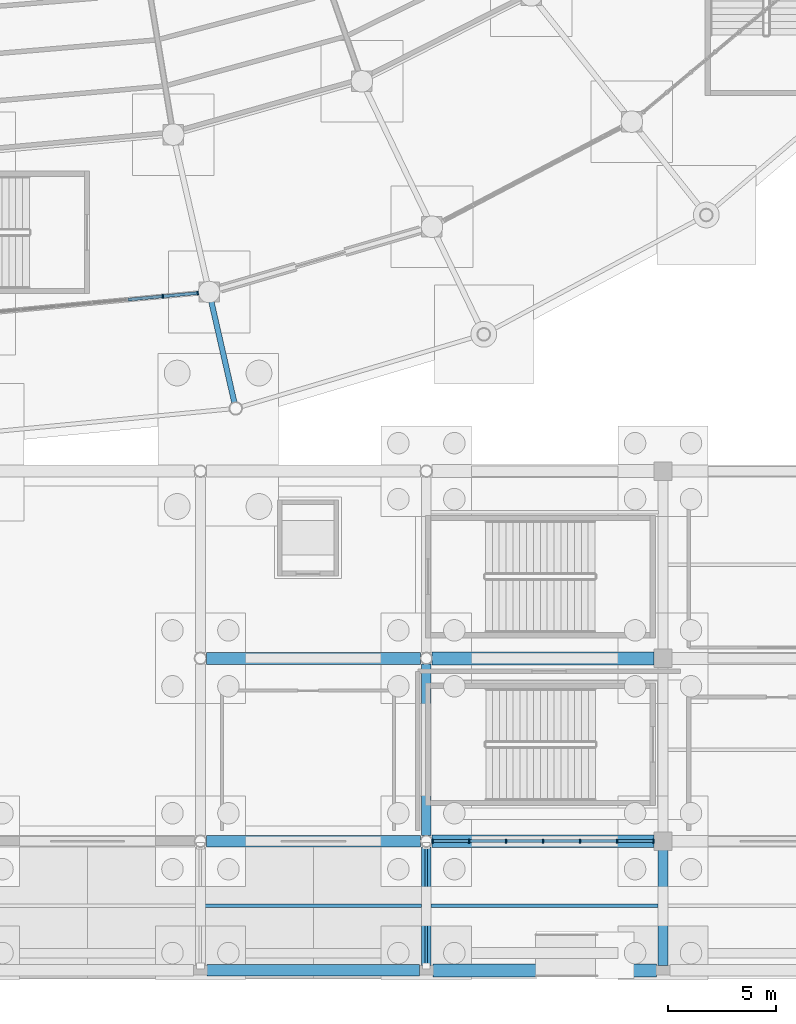
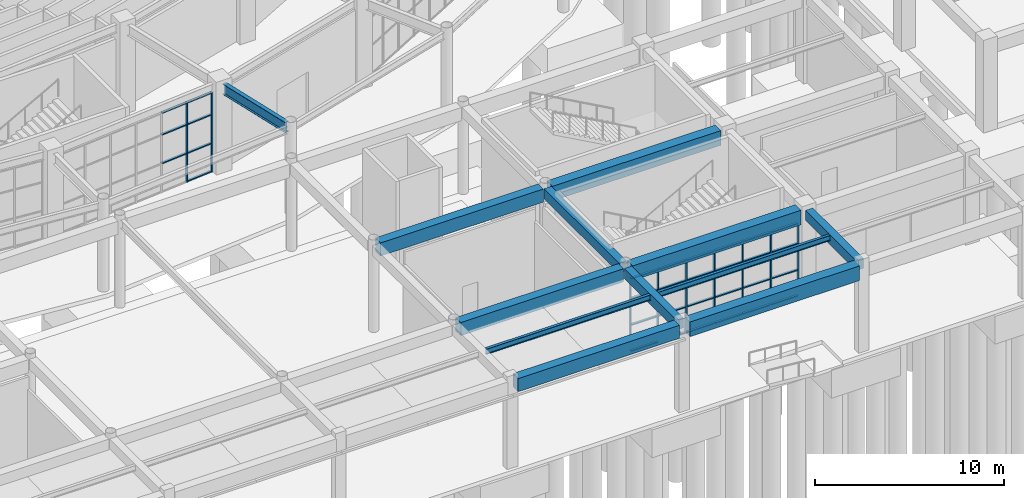
# One storey, part 33 of 121: 41 members, 12 beams, 2 elements without a shape of their own.
"""IFC4 building model written with IfcOpenShell, lengths in metres."""

from ifc_helpers import new_model, si_unit, direction, frame, origin, origin_2d, place, context, subcontext, project, spatial, rectangle, hollow_rectangle, i_section, extrude, material, material_profile, profile_set, type_object, element, aggregate, save


model = new_model("IFC4")

# Units and contexts
model_context = context("Model", 3, precision=1e-05, world=origin(), true_north=direction((0.0, 1.0)))
body_context = subcontext(model_context, "Body", "Model", "MODEL_VIEW")
ifc_project = project(units=[si_unit("LENGTHUNIT", "METRE"), si_unit("AREAUNIT", "SQUARE_METRE"), si_unit("VOLUMEUNIT", "CUBIC_METRE"), si_unit("PLANEANGLEUNIT", "RADIAN"), si_unit("MASSUNIT", "GRAM", prefix="KILO")], contexts=[model_context])

# Site, building, storey
site_placement = place(None, origin())
site = spatial("IfcSite", under=ifc_project, at=site_placement, CompositionType="ELEMENT")
building_placement = place(site_placement, origin())
building = spatial("IfcBuilding", under=site, at=building_placement, Name="Cuetzalor Civic Arena", CompositionType="ELEMENT")
storey_placement = place(building_placement, origin())
storey = spatial("IfcBuildingStorey", under=building, at=storey_placement, Name="L00", CompositionType="ELEMENT", Elevation=0.0)

# Member
ifc_material_1 = material(Name="Steel S355", Category="steel")
ifc_material_profile_1 = material_profile(ifc_material_1, hollow_rectangle(XDim=0.1201171875, YDim=0.1201171875, WallThickness=0.008056640625, at=origin_2d()), Name="RHS 120x120x8")
ifc_profile_set_1 = profile_set([ifc_material_profile_1], Name="Steel S355")
member_type_1 = type_object("IfcMemberType", Name="CanopyStrutTie_RHS120", PredefinedType="BRACE", material=ifc_profile_set_1)
member_1_placement = place(storey_placement, frame((21.0, -65.699951171875, 5.02001953125), z_axis=(0.0, -0.999083002286, -0.042815354052), x_axis=(1.0, 0.0, 0.0)))
element("IfcMember", 1, at=member_1_placement, inside=storey, type_object=member_type_1, Name="Entrance Canopy Whiplash Tie Strut X21", PredefinedType="BRACE", context=body_context, shape_type="SweptSolid", body=[
    extrude(hollow_rectangle(XDim=0.1201171875, YDim=0.1201171875, WallThickness=0.008056640625, at=origin_2d()), origin(), (0.0, 0.0, 1.0), 5.605224609375),
])

# Beams
ifc_material_2 = material(Name="Concrete C40/50", Category="concrete")
ifc_material_profile_2 = material_profile(ifc_material_2, rectangle(XDim=0.550048828125, YDim=0.85009765625, at=origin_2d()), Name="RC 550x850")
ifc_profile_set_2 = profile_set([ifc_material_profile_2], Name="Concrete C40/50")
beam_type_1 = type_object("IfcBeamType", Name="ConcreteFrameBeam_550x850", PredefinedType="BEAM", material=ifc_profile_set_2)
beam_1_placement = place(storey_placement, frame((10.81494140625, -71.5, 5.27490234375), z_axis=(1.0, 0.0, 0.0), x_axis=(0.0, 1.0, 0.0)))
element("IfcBeam", 2, at=beam_1_placement, inside=storey, type_object=beam_type_1, Name="Frame Girder V3-L00-X0006", PredefinedType="BEAM", context=body_context, shape_type="SweptSolid", body=[
    extrude(rectangle(XDim=0.550048828125, YDim=0.85009765625, at=origin_2d()), origin(), (0.0, 0.0, 1.0), 9.8701171875),
])
for number, where, z_axis, x_axis, name in (
    (3, (10.76953125, -65.5, 5.27490234375), (1.0, 0.0, 0.0), (0.0, 1.0, 0.0), "Frame Girder V3-L00-X0014"),
    (4, (10.76953125, -57.0, 5.27490234375), (1.0, 0.0, 0.0), (0.0, 1.0, 0.0), "Frame Girder V3-L00-X0020"),
):
    element("IfcBeam", number, at=place(storey_placement, frame(where, z_axis=z_axis, x_axis=x_axis)), inside=storey, type_object=beam_type_1, Name=name, PredefinedType="BEAM", context=body_context, shape_type="SweptSolid", body=[
        extrude(rectangle(XDim=0.550048828125, YDim=0.85009765625, at=origin_2d()), origin(), (0.0, 0.0, 1.0), 9.9609375),
    ])
ifc_material_3 = material(Name="Concrete C40/50", Category="concrete")
ifc_material_profile_3 = material_profile(ifc_material_3, rectangle(XDim=0.60009765625, YDim=0.949951171875, at=origin_2d()), Name="RC 600x950")
ifc_profile_set_3 = profile_set([ifc_material_profile_3], Name="Concrete C40/50")
beam_type_2 = type_object("IfcBeamType", Name="ConcreteFrameBeam_600x950", PredefinedType="BEAM", material=ifc_profile_set_3)
beam_2_placement = place(storey_placement, frame((21.31494140625, -71.5, 5.22509765625), z_axis=(1.0, 0.0, 0.0), x_axis=(0.0, 1.0, 0.0)))
element("IfcBeam", 5, at=beam_2_placement, inside=storey, type_object=beam_type_2, Name="Frame Girder V3-L00-X0007", PredefinedType="BEAM", context=body_context, shape_type="SweptSolid", body=[
    extrude(rectangle(XDim=0.60009765625, YDim=0.949951171875, at=origin_2d()), origin(), (0.0, 0.0, 1.0), 10.3701171875),
])
for number, where, z_axis, x_axis, name in (
    (6, (21.26953125, -65.5, 5.22509765625), (1.0, 0.0, 0.0), (0.0, 1.0, 0.0), "Frame Girder V3-L00-X0015"),
    (7, (21.26953125, -57.0, 5.22509765625), (1.0, 0.0, 0.0), (0.0, 1.0, 0.0), "Frame Girder V3-L00-X0021"),
):
    element("IfcBeam", number, at=place(storey_placement, frame(where, z_axis=z_axis, x_axis=x_axis)), inside=storey, type_object=beam_type_2, Name=name, PredefinedType="BEAM", context=body_context, shape_type="SweptSolid", body=[
        extrude(rectangle(XDim=0.60009765625, YDim=0.949951171875, at=origin_2d()), origin(), (0.0, 0.0, 1.0), 10.3154296875),
    ])
ifc_material_4 = material(Name="Concrete C40/50", Category="concrete")
ifc_material_profile_4 = material_profile(ifc_material_4, rectangle(XDim=0.449951171875, YDim=0.64990234375, at=origin_2d()), Name="RC 450x650")
ifc_profile_set_4 = profile_set([ifc_material_profile_4], Name="Concrete C40/50")
beam_type_3 = type_object("IfcBeamType", Name="ConcreteTieBeam_450x650", PredefinedType="BEAM", material=ifc_profile_set_4)
beam_3_placement = place(storey_placement, frame((21.0, -71.284912109375, 5.375), z_axis=(0.0, 1.0, 0.0), x_axis=(-1.0, 0.0, 0.0)))
element("IfcBeam", 8, at=beam_3_placement, inside=storey, type_object=beam_type_3, Name="Frame Girder V3-L00-Y0048", PredefinedType="BEAM", context=body_context, shape_type="SweptSolid", body=[
    extrude(rectangle(XDim=0.449951171875, YDim=0.64990234375, at=origin_2d()), origin(), (0.0, 0.0, 1.0), 5.515380859375),
])
beam_4_placement = place(storey_placement, frame((21.0, -65.23046875, 5.375), z_axis=(0.0, 1.0, 0.0), x_axis=(-1.0, 0.0, 0.0)))
element("IfcBeam", 9, at=beam_4_placement, inside=storey, type_object=beam_type_3, Name="Frame Girder V3-L00-Y0049", PredefinedType="BEAM", context=body_context, shape_type="SweptSolid", body=[
    extrude(rectangle(XDim=0.449951171875, YDim=0.64990234375, at=origin_2d()), origin(), (0.0, 0.0, 1.0), 7.9609375),
])
beam_5_placement = place(storey_placement, frame((32.0, -71.284912109375, 5.375), z_axis=(0.0, 1.0, 0.0), x_axis=(-1.0, 0.0, 0.0)))
element("IfcBeam", 10, at=beam_5_placement, inside=storey, type_object=beam_type_3, Name="Frame Girder V3-L00-Y0051", PredefinedType="BEAM", context=body_context, shape_type="SweptSolid", body=[
    extrude(rectangle(XDim=0.449951171875, YDim=0.64990234375, at=origin_2d()), origin(), (0.0, 0.0, 1.0), 5.369873046875),
])

# Curtain wall, members
ifc_material_5 = material(Name="Anodised dark bronze aluminium and low-E solar glass", Category="aluminium")
curtain_wall_type_1 = type_object("IfcCurtainWallType", Name="UnitisedCW_9950x5150", PredefinedType="USERDEFINED", material=ifc_material_5)
curtain_wall_1_placement = place(storey_placement, origin())
curtain_wall_1 = element("IfcCurtainWall", 11, at=curtain_wall_1_placement, inside=storey, type_object=curtain_wall_type_1, Name="Drum Ground Recessed Concourse Curtain Wall L00-016", ObjectType="UNITISED CURTAIN WALL", PredefinedType="USERDEFINED")
ifc_material_6 = material(Name="Anodised dark bronze aluminium", Category="aluminium")
ifc_material_profile_5 = material_profile(ifc_material_6, rectangle(XDim=0.070068359375, YDim=0.179931640625, at=origin_2d()), Name="ALU MULLION 70x180")
ifc_profile_set_5 = profile_set([ifc_material_profile_5], Name="Anodised dark bronze aluminium")
member_type_2 = type_object("IfcMemberType", Name="CurtainWallMullion_65x180", PredefinedType="MULLION", material=ifc_profile_set_5)
member_2_placement = place(storey_placement, frame((10.371337890625, -40.022216796875, 0.0), z_axis=(0.0, 0.0, 1.0), x_axis=(-0.995585155665, -0.093862654023, 0.0)))
member_2 = element("IfcMember", 12, at=member_2_placement, type_object=member_type_2, Name="CW-05 mullion 1", PredefinedType="MULLION", context=body_context, shape_type="SweptSolid", body=[
    extrude(rectangle(XDim=0.070068359375, YDim=0.179931640625, at=origin_2d()), origin(), (0.0, 0.0, 1.0), 5.156982421875),
])
member_3_placement = place(storey_placement, frame((8.754638671875, -40.174560546875, 0.0), z_axis=(0.0, 0.0, 1.0), x_axis=(-0.995585155665, -0.093862654023, 0.0)))
member_3 = element("IfcMember", 13, at=member_3_placement, type_object=member_type_2, Name="CW-05 mullion 2", PredefinedType="MULLION", context=body_context, shape_type="SweptSolid", body=[
    extrude(rectangle(XDim=0.070068359375, YDim=0.179931640625, at=origin_2d()), origin(), (0.0, 0.0, 1.0), 5.156982421875),
])

ifc_material_7 = material(Name="Anodised dark bronze aluminium and low-E solar glass", Category="aluminium")
curtain_wall_type_2 = type_object("IfcCurtainWallType", Name="StickCW_10350x4750", PredefinedType="USERDEFINED", material=ifc_material_7)
curtain_wall_2_placement = place(storey_placement, origin())
curtain_wall_2 = element("IfcCurtainWall", 14, at=curtain_wall_2_placement, inside=storey, type_object=curtain_wall_type_2, Name="South Foyer Arcade Curtain Wall L00-082", ObjectType="STICK CURTAIN WALL", PredefinedType="USERDEFINED")
member_4_placement = place(storey_placement, frame((31.55810546875, -65.5, 0.0), z_axis=(0.0, 0.0, 1.0), x_axis=(-1.0, 0.0, 0.0)))
member_4 = element("IfcMember", 15, at=member_4_placement, type_object=member_type_2, Name="CW-24 mullion 1", PredefinedType="MULLION", context=body_context, shape_type="SweptSolid", body=[
    extrude(rectangle(XDim=0.070068359375, YDim=0.179931640625, at=origin_2d()), origin(), (0.0, 0.0, 1.0), 4.739990234375),
])
member_5_placement = place(storey_placement, frame((29.87109375, -65.5, 0.0), z_axis=(0.0, 0.0, 1.0), x_axis=(-1.0, 0.0, 0.0)))
member_5 = element("IfcMember", 16, at=member_5_placement, type_object=member_type_2, Name="CW-24 mullion 2", PredefinedType="MULLION", context=body_context, shape_type="SweptSolid", body=[
    extrude(rectangle(XDim=0.070068359375, YDim=0.179931640625, at=origin_2d()), origin(), (0.0, 0.0, 1.0), 4.739990234375),
])
member_6_placement = place(storey_placement, frame((28.149169921875, -65.5, 0.0), z_axis=(0.0, 0.0, 1.0), x_axis=(-1.0, 0.0, 0.0)))
member_6 = element("IfcMember", 17, at=member_6_placement, type_object=member_type_2, Name="CW-24 mullion 3", PredefinedType="MULLION", context=body_context, shape_type="SweptSolid", body=[
    extrude(rectangle(XDim=0.070068359375, YDim=0.179931640625, at=origin_2d()), origin(), (0.0, 0.0, 1.0), 4.739990234375),
])
member_7_placement = place(storey_placement, frame((26.42724609375, -65.5, 0.0), z_axis=(0.0, 0.0, 1.0), x_axis=(-1.0, 0.0, 0.0)))
member_7 = element("IfcMember", 18, at=member_7_placement, type_object=member_type_2, Name="CW-24 mullion 4", PredefinedType="MULLION", context=body_context, shape_type="SweptSolid", body=[
    extrude(rectangle(XDim=0.070068359375, YDim=0.179931640625, at=origin_2d()), origin(), (0.0, 0.0, 1.0), 4.739990234375),
])
member_8_placement = place(storey_placement, frame((24.705322265625, -65.5, 0.0), z_axis=(0.0, 0.0, 1.0), x_axis=(-1.0, 0.0, 0.0)))
member_8 = element("IfcMember", 19, at=member_8_placement, type_object=member_type_2, Name="CW-24 mullion 5", PredefinedType="MULLION", context=body_context, shape_type="SweptSolid", body=[
    extrude(rectangle(XDim=0.070068359375, YDim=0.179931640625, at=origin_2d()), origin(), (0.0, 0.0, 1.0), 4.739990234375),
])
member_9_placement = place(storey_placement, frame((22.9833984375, -65.5, 0.0), z_axis=(0.0, 0.0, 1.0), x_axis=(-1.0, 0.0, 0.0)))
member_9 = element("IfcMember", 20, at=member_9_placement, type_object=member_type_2, Name="CW-24 mullion 6", PredefinedType="MULLION", context=body_context, shape_type="SweptSolid", body=[
    extrude(rectangle(XDim=0.070068359375, YDim=0.179931640625, at=origin_2d()), origin(), (0.0, 0.0, 1.0), 4.739990234375),
])
member_10_placement = place(storey_placement, frame((21.29638671875, -65.5, 0.0), z_axis=(0.0, 0.0, 1.0), x_axis=(-1.0, 0.0, 0.0)))
member_10 = element("IfcMember", 21, at=member_10_placement, type_object=member_type_2, Name="CW-24 mullion 7", PredefinedType="MULLION", context=body_context, shape_type="SweptSolid", body=[
    extrude(rectangle(XDim=0.070068359375, YDim=0.179931640625, at=origin_2d()), origin(), (0.0, 0.0, 1.0), 4.739990234375),
])

# Member
ifc_material_8 = material(Name="Anodised dark bronze aluminium", Category="aluminium")
ifc_material_profile_6 = material_profile(ifc_material_8, rectangle(XDim=0.139892578125, YDim=0.070068359375, at=origin_2d()), Name="ALU TRANSOM 70x140")
ifc_profile_set_6 = profile_set([ifc_material_profile_6], Name="Anodised dark bronze aluminium")
member_type_3 = type_object("IfcMemberType", Name="CurtainWallTransom_65x140", PredefinedType="USERDEFINED", material=ifc_profile_set_6)
member_11_placement = place(storey_placement, frame((10.33642578125, -40.025390625, 0.034912109375), z_axis=(-0.995575620742, -0.093963734407, 0.0), x_axis=(0.093963734407, -0.995575620742, 0.0)))
member_11 = element("IfcMember", 22, at=member_11_placement, type_object=member_type_3, Name="CW-05 transom 1.1", ObjectType="TRANSOM", PredefinedType="USERDEFINED", context=body_context, shape_type="SweptSolid", body=[
    extrude(rectangle(XDim=0.139892578125, YDim=0.070068359375, at=origin_2d()), origin(), (0.0, 0.0, 1.0), 1.5537109375),
])

member_12_placement = place(storey_placement, frame((10.33642578125, -40.025390625, 1.85693359375), z_axis=(-0.995575620742, -0.093963734407, 0.0), x_axis=(0.093963734407, -0.995575620742, 0.0)))
member_12 = element("IfcMember", 23, at=member_12_placement, type_object=member_type_3, Name="CW-05 transom 1.2", ObjectType="TRANSOM", PredefinedType="USERDEFINED", context=body_context, shape_type="SweptSolid", body=[
    extrude(rectangle(XDim=0.139892578125, YDim=0.070068359375, at=origin_2d()), origin(), (0.0, 0.0, 1.0), 1.5537109375),
])

member_13_placement = place(storey_placement, frame((10.33642578125, -40.025390625, 3.712890625), z_axis=(-0.995575620742, -0.093963734407, 0.0), x_axis=(0.093963734407, -0.995575620742, 0.0)))
member_13 = element("IfcMember", 24, at=member_13_placement, type_object=member_type_3, Name="CW-05 transom 1.3", ObjectType="TRANSOM", PredefinedType="USERDEFINED", context=body_context, shape_type="SweptSolid", body=[
    extrude(rectangle(XDim=0.139892578125, YDim=0.070068359375, at=origin_2d()), origin(), (0.0, 0.0, 1.0), 1.5537109375),
])

member_14_placement = place(storey_placement, frame((10.33642578125, -40.025390625, 5.1220703125), z_axis=(-0.995575620742, -0.093963734407, 0.0), x_axis=(0.093963734407, -0.995575620742, 0.0)))
member_14 = element("IfcMember", 25, at=member_14_placement, type_object=member_type_3, Name="CW-05 transom 1.4", ObjectType="TRANSOM", PredefinedType="USERDEFINED", context=body_context, shape_type="SweptSolid", body=[
    extrude(rectangle(XDim=0.139892578125, YDim=0.070068359375, at=origin_2d()), origin(), (0.0, 0.0, 1.0), 1.5537109375),
])

member_15_placement = place(storey_placement, frame((8.719970703125, -40.177978515625, 1.85693359375), z_axis=(-0.995597107351, -0.093735798037, 0.0), x_axis=(0.093735798037, -0.995597107351, 0.0)))
member_15 = element("IfcMember", 26, at=member_15_placement, type_object=member_type_3, Name="CW-05 transom 2.2", ObjectType="TRANSOM", PredefinedType="USERDEFINED", context=body_context, shape_type="SweptSolid", body=[
    extrude(rectangle(XDim=0.139892578125, YDim=0.070068359375, at=origin_2d()), origin(), (0.0, 0.0, 1.0), 1.5888671875),
])

member_16_placement = place(storey_placement, frame((8.719970703125, -40.177978515625, 3.712890625), z_axis=(-0.995597107351, -0.093735798037, 0.0), x_axis=(0.093735798037, -0.995597107351, 0.0)))
member_16 = element("IfcMember", 27, at=member_16_placement, type_object=member_type_3, Name="CW-05 transom 2.3", ObjectType="TRANSOM", PredefinedType="USERDEFINED", context=body_context, shape_type="SweptSolid", body=[
    extrude(rectangle(XDim=0.139892578125, YDim=0.070068359375, at=origin_2d()), origin(), (0.0, 0.0, 1.0), 1.5888671875),
])

member_17_placement = place(storey_placement, frame((8.719970703125, -40.177978515625, 5.1220703125), z_axis=(-0.995597107351, -0.093735798037, 0.0), x_axis=(0.093735798037, -0.995597107351, 0.0)))
member_17 = element("IfcMember", 28, at=member_17_placement, type_object=member_type_3, Name="CW-05 transom 2.4", ObjectType="TRANSOM", PredefinedType="USERDEFINED", context=body_context, shape_type="SweptSolid", body=[
    extrude(rectangle(XDim=0.139892578125, YDim=0.070068359375, at=origin_2d()), origin(), (0.0, 0.0, 1.0), 1.5888671875),
])

aggregate(curtain_wall_1, [member_2, member_3, member_11, member_12, member_13, member_14, member_15, member_16, member_17])

member_18_placement = place(storey_placement, frame((31.52294921875, -65.5, 0.034912109375), z_axis=(-1.0, 0.0, 0.0), x_axis=(0.0, -1.0, 0.0)))
member_18 = element("IfcMember", 29, at=member_18_placement, type_object=member_type_3, Name="CW-24 transom 1.1", ObjectType="TRANSOM", PredefinedType="USERDEFINED", context=body_context, shape_type="SweptSolid", body=[
    extrude(rectangle(XDim=0.139892578125, YDim=0.070068359375, at=origin_2d()), origin(), (0.0, 0.0, 1.0), 1.616943359375),
])

member_19_placement = place(storey_placement, frame((31.52294921875, -65.5, 1.7060546875), z_axis=(-1.0, 0.0, 0.0), x_axis=(0.0, -1.0, 0.0)))
member_19 = element("IfcMember", 30, at=member_19_placement, type_object=member_type_3, Name="CW-24 transom 1.2", ObjectType="TRANSOM", PredefinedType="USERDEFINED", context=body_context, shape_type="SweptSolid", body=[
    extrude(rectangle(XDim=0.139892578125, YDim=0.070068359375, at=origin_2d()), origin(), (0.0, 0.0, 1.0), 1.616943359375),
])

member_20_placement = place(storey_placement, frame((31.52294921875, -65.5, 3.4130859375), z_axis=(-1.0, 0.0, 0.0), x_axis=(0.0, -1.0, 0.0)))
member_20 = element("IfcMember", 31, at=member_20_placement, type_object=member_type_3, Name="CW-24 transom 1.3", ObjectType="TRANSOM", PredefinedType="USERDEFINED", context=body_context, shape_type="SweptSolid", body=[
    extrude(rectangle(XDim=0.139892578125, YDim=0.070068359375, at=origin_2d()), origin(), (0.0, 0.0, 1.0), 1.616943359375),
])

member_21_placement = place(storey_placement, frame((31.52294921875, -65.5, 4.705078125), z_axis=(-1.0, 0.0, 0.0), x_axis=(0.0, -1.0, 0.0)))
member_21 = element("IfcMember", 32, at=member_21_placement, type_object=member_type_3, Name="CW-24 transom 1.4", ObjectType="TRANSOM", PredefinedType="USERDEFINED", context=body_context, shape_type="SweptSolid", body=[
    extrude(rectangle(XDim=0.139892578125, YDim=0.070068359375, at=origin_2d()), origin(), (0.0, 0.0, 1.0), 1.616943359375),
])

member_22_placement = place(storey_placement, frame((29.836181640625, -65.5, 0.034912109375), z_axis=(-1.0, 0.0, 0.0), x_axis=(0.0, -1.0, 0.0)))
member_22 = element("IfcMember", 33, at=member_22_placement, type_object=member_type_3, Name="CW-24 transom 2.1", ObjectType="TRANSOM", PredefinedType="USERDEFINED", context=body_context, shape_type="SweptSolid", body=[
    extrude(rectangle(XDim=0.139892578125, YDim=0.070068359375, at=origin_2d()), origin(), (0.0, 0.0, 1.0), 1.652099609375),
])

member_23_placement = place(storey_placement, frame((29.836181640625, -65.5, 1.7060546875), z_axis=(-1.0, 0.0, 0.0), x_axis=(0.0, -1.0, 0.0)))
member_23 = element("IfcMember", 34, at=member_23_placement, type_object=member_type_3, Name="CW-24 transom 2.2", ObjectType="TRANSOM", PredefinedType="USERDEFINED", context=body_context, shape_type="SweptSolid", body=[
    extrude(rectangle(XDim=0.139892578125, YDim=0.070068359375, at=origin_2d()), origin(), (0.0, 0.0, 1.0), 1.652099609375),
])

member_24_placement = place(storey_placement, frame((29.836181640625, -65.5, 3.4130859375), z_axis=(-1.0, 0.0, 0.0), x_axis=(0.0, -1.0, 0.0)))
member_24 = element("IfcMember", 35, at=member_24_placement, type_object=member_type_3, Name="CW-24 transom 2.3", ObjectType="TRANSOM", PredefinedType="USERDEFINED", context=body_context, shape_type="SweptSolid", body=[
    extrude(rectangle(XDim=0.139892578125, YDim=0.070068359375, at=origin_2d()), origin(), (0.0, 0.0, 1.0), 1.652099609375),
])

member_25_placement = place(storey_placement, frame((29.836181640625, -65.5, 4.705078125), z_axis=(-1.0, 0.0, 0.0), x_axis=(0.0, -1.0, 0.0)))
member_25 = element("IfcMember", 36, at=member_25_placement, type_object=member_type_3, Name="CW-24 transom 2.4", ObjectType="TRANSOM", PredefinedType="USERDEFINED", context=body_context, shape_type="SweptSolid", body=[
    extrude(rectangle(XDim=0.139892578125, YDim=0.070068359375, at=origin_2d()), origin(), (0.0, 0.0, 1.0), 1.652099609375),
])

member_26_placement = place(storey_placement, frame((28.1142578125, -65.5, 0.034912109375), z_axis=(-1.0, 0.0, 0.0), x_axis=(0.0, -1.0, 0.0)))
member_26 = element("IfcMember", 37, at=member_26_placement, type_object=member_type_3, Name="CW-24 transom 3.1", ObjectType="TRANSOM", PredefinedType="USERDEFINED", context=body_context, shape_type="SweptSolid", body=[
    extrude(rectangle(XDim=0.139892578125, YDim=0.070068359375, at=origin_2d()), origin(), (0.0, 0.0, 1.0), 1.652099609375),
])

member_27_placement = place(storey_placement, frame((28.1142578125, -65.5, 1.7060546875), z_axis=(-1.0, 0.0, 0.0), x_axis=(0.0, -1.0, 0.0)))
member_27 = element("IfcMember", 38, at=member_27_placement, type_object=member_type_3, Name="CW-24 transom 3.2", ObjectType="TRANSOM", PredefinedType="USERDEFINED", context=body_context, shape_type="SweptSolid", body=[
    extrude(rectangle(XDim=0.139892578125, YDim=0.070068359375, at=origin_2d()), origin(), (0.0, 0.0, 1.0), 1.652099609375),
])

member_28_placement = place(storey_placement, frame((28.1142578125, -65.5, 3.4130859375), z_axis=(-1.0, 0.0, 0.0), x_axis=(0.0, -1.0, 0.0)))
member_28 = element("IfcMember", 39, at=member_28_placement, type_object=member_type_3, Name="CW-24 transom 3.3", ObjectType="TRANSOM", PredefinedType="USERDEFINED", context=body_context, shape_type="SweptSolid", body=[
    extrude(rectangle(XDim=0.139892578125, YDim=0.070068359375, at=origin_2d()), origin(), (0.0, 0.0, 1.0), 1.652099609375),
])

member_29_placement = place(storey_placement, frame((28.1142578125, -65.5, 4.705078125), z_axis=(-1.0, 0.0, 0.0), x_axis=(0.0, -1.0, 0.0)))
member_29 = element("IfcMember", 40, at=member_29_placement, type_object=member_type_3, Name="CW-24 transom 3.4", ObjectType="TRANSOM", PredefinedType="USERDEFINED", context=body_context, shape_type="SweptSolid", body=[
    extrude(rectangle(XDim=0.139892578125, YDim=0.070068359375, at=origin_2d()), origin(), (0.0, 0.0, 1.0), 1.652099609375),
])

member_30_placement = place(storey_placement, frame((26.392333984375, -65.5, 0.034912109375), z_axis=(-1.0, 0.0, 0.0), x_axis=(0.0, -1.0, 0.0)))
member_30 = element("IfcMember", 41, at=member_30_placement, type_object=member_type_3, Name="CW-24 transom 4.1", ObjectType="TRANSOM", PredefinedType="USERDEFINED", context=body_context, shape_type="SweptSolid", body=[
    extrude(rectangle(XDim=0.139892578125, YDim=0.070068359375, at=origin_2d()), origin(), (0.0, 0.0, 1.0), 1.652099609375),
])

member_31_placement = place(storey_placement, frame((26.392333984375, -65.5, 1.7060546875), z_axis=(-1.0, 0.0, 0.0), x_axis=(0.0, -1.0, 0.0)))
member_31 = element("IfcMember", 42, at=member_31_placement, type_object=member_type_3, Name="CW-24 transom 4.2", ObjectType="TRANSOM", PredefinedType="USERDEFINED", context=body_context, shape_type="SweptSolid", body=[
    extrude(rectangle(XDim=0.139892578125, YDim=0.070068359375, at=origin_2d()), origin(), (0.0, 0.0, 1.0), 1.652099609375),
])

member_32_placement = place(storey_placement, frame((26.392333984375, -65.5, 3.4130859375), z_axis=(-1.0, 0.0, 0.0), x_axis=(0.0, -1.0, 0.0)))
member_32 = element("IfcMember", 43, at=member_32_placement, type_object=member_type_3, Name="CW-24 transom 4.3", ObjectType="TRANSOM", PredefinedType="USERDEFINED", context=body_context, shape_type="SweptSolid", body=[
    extrude(rectangle(XDim=0.139892578125, YDim=0.070068359375, at=origin_2d()), origin(), (0.0, 0.0, 1.0), 1.652099609375),
])

member_33_placement = place(storey_placement, frame((26.392333984375, -65.5, 4.705078125), z_axis=(-1.0, 0.0, 0.0), x_axis=(0.0, -1.0, 0.0)))
member_33 = element("IfcMember", 44, at=member_33_placement, type_object=member_type_3, Name="CW-24 transom 4.4", ObjectType="TRANSOM", PredefinedType="USERDEFINED", context=body_context, shape_type="SweptSolid", body=[
    extrude(rectangle(XDim=0.139892578125, YDim=0.070068359375, at=origin_2d()), origin(), (0.0, 0.0, 1.0), 1.652099609375),
])

member_34_placement = place(storey_placement, frame((24.67041015625, -65.5, 0.034912109375), z_axis=(-1.0, 0.0, 0.0), x_axis=(0.0, -1.0, 0.0)))
member_34 = element("IfcMember", 45, at=member_34_placement, type_object=member_type_3, Name="CW-24 transom 5.1", ObjectType="TRANSOM", PredefinedType="USERDEFINED", context=body_context, shape_type="SweptSolid", body=[
    extrude(rectangle(XDim=0.139892578125, YDim=0.070068359375, at=origin_2d()), origin(), (0.0, 0.0, 1.0), 1.652099609375),
])

member_35_placement = place(storey_placement, frame((24.67041015625, -65.5, 1.7060546875), z_axis=(-1.0, 0.0, 0.0), x_axis=(0.0, -1.0, 0.0)))
member_35 = element("IfcMember", 46, at=member_35_placement, type_object=member_type_3, Name="CW-24 transom 5.2", ObjectType="TRANSOM", PredefinedType="USERDEFINED", context=body_context, shape_type="SweptSolid", body=[
    extrude(rectangle(XDim=0.139892578125, YDim=0.070068359375, at=origin_2d()), origin(), (0.0, 0.0, 1.0), 1.652099609375),
])

member_36_placement = place(storey_placement, frame((24.67041015625, -65.5, 3.4130859375), z_axis=(-1.0, 0.0, 0.0), x_axis=(0.0, -1.0, 0.0)))
member_36 = element("IfcMember", 47, at=member_36_placement, type_object=member_type_3, Name="CW-24 transom 5.3", ObjectType="TRANSOM", PredefinedType="USERDEFINED", context=body_context, shape_type="SweptSolid", body=[
    extrude(rectangle(XDim=0.139892578125, YDim=0.070068359375, at=origin_2d()), origin(), (0.0, 0.0, 1.0), 1.652099609375),
])

member_37_placement = place(storey_placement, frame((24.67041015625, -65.5, 4.705078125), z_axis=(-1.0, 0.0, 0.0), x_axis=(0.0, -1.0, 0.0)))
member_37 = element("IfcMember", 48, at=member_37_placement, type_object=member_type_3, Name="CW-24 transom 5.4", ObjectType="TRANSOM", PredefinedType="USERDEFINED", context=body_context, shape_type="SweptSolid", body=[
    extrude(rectangle(XDim=0.139892578125, YDim=0.070068359375, at=origin_2d()), origin(), (0.0, 0.0, 1.0), 1.652099609375),
])

member_38_placement = place(storey_placement, frame((22.948486328125, -65.5, 0.034912109375), z_axis=(-1.0, 0.0, 0.0), x_axis=(0.0, -1.0, 0.0)))
member_38 = element("IfcMember", 49, at=member_38_placement, type_object=member_type_3, Name="CW-24 transom 6.1", ObjectType="TRANSOM", PredefinedType="USERDEFINED", context=body_context, shape_type="SweptSolid", body=[
    extrude(rectangle(XDim=0.139892578125, YDim=0.070068359375, at=origin_2d()), origin(), (0.0, 0.0, 1.0), 1.616943359375),
])

member_39_placement = place(storey_placement, frame((22.948486328125, -65.5, 1.7060546875), z_axis=(-1.0, 0.0, 0.0), x_axis=(0.0, -1.0, 0.0)))
member_39 = element("IfcMember", 50, at=member_39_placement, type_object=member_type_3, Name="CW-24 transom 6.2", ObjectType="TRANSOM", PredefinedType="USERDEFINED", context=body_context, shape_type="SweptSolid", body=[
    extrude(rectangle(XDim=0.139892578125, YDim=0.070068359375, at=origin_2d()), origin(), (0.0, 0.0, 1.0), 1.616943359375),
])

member_40_placement = place(storey_placement, frame((22.948486328125, -65.5, 3.4130859375), z_axis=(-1.0, 0.0, 0.0), x_axis=(0.0, -1.0, 0.0)))
member_40 = element("IfcMember", 51, at=member_40_placement, type_object=member_type_3, Name="CW-24 transom 6.3", ObjectType="TRANSOM", PredefinedType="USERDEFINED", context=body_context, shape_type="SweptSolid", body=[
    extrude(rectangle(XDim=0.139892578125, YDim=0.070068359375, at=origin_2d()), origin(), (0.0, 0.0, 1.0), 1.616943359375),
])

member_41_placement = place(storey_placement, frame((22.948486328125, -65.5, 4.705078125), z_axis=(-1.0, 0.0, 0.0), x_axis=(0.0, -1.0, 0.0)))
member_41 = element("IfcMember", 52, at=member_41_placement, type_object=member_type_3, Name="CW-24 transom 6.4", ObjectType="TRANSOM", PredefinedType="USERDEFINED", context=body_context, shape_type="SweptSolid", body=[
    extrude(rectangle(XDim=0.139892578125, YDim=0.070068359375, at=origin_2d()), origin(), (0.0, 0.0, 1.0), 1.616943359375),
])

aggregate(curtain_wall_2, [member_4, member_5, member_6, member_7, member_8, member_9, member_10, member_18, member_19, member_20, member_21, member_22, member_23, member_24, member_25, member_26, member_27, member_28, member_29, member_30, member_31, member_32, member_33, member_34, member_35, member_36, member_37, member_38, member_39, member_40, member_41])

# Beams
ifc_material_9 = material(Name="Steel S355", Category="steel")
ifc_material_profile_7 = material_profile(ifc_material_9, i_section(OverallWidth=0.1708984375, OverallDepth=0.35498046875, WebThickness=0.007080078125, FlangeThickness=0.01171875, at=origin_2d()), Name="W360x51")
ifc_profile_set_7 = profile_set([ifc_material_profile_7], Name="Steel S355")
beam_type_4 = type_object("IfcBeamType", Name="SecondaryFloorJoist_W360", PredefinedType="JOIST", material=ifc_profile_set_7)
beam_6_placement = place(storey_placement, frame((10.717041015625, -68.5, 5.5224609375), z_axis=(1.0, 0.0, 0.0), x_axis=(0.0, 1.0, 0.0)))
element("IfcBeam", 53, at=beam_6_placement, inside=storey, type_object=beam_type_4, Name="Secondary Floor Joist V3-L00-0009", PredefinedType="JOIST", context=body_context, shape_type="SweptSolid", body=[
    extrude(i_section(OverallWidth=0.1708984375, OverallDepth=0.35498046875, WebThickness=0.007080078125, FlangeThickness=0.01171875, at=origin_2d()), origin(), (0.0, 0.0, 1.0), 10.06591796875),
])
beam_7_placement = place(storey_placement, frame((21.217041015625, -68.5, 5.5224609375), z_axis=(1.0, 0.0, 0.0), x_axis=(0.0, 1.0, 0.0)))
element("IfcBeam", 54, at=beam_7_placement, inside=storey, type_object=beam_type_4, Name="Secondary Floor Joist V3-L00-0010", PredefinedType="JOIST", context=body_context, shape_type="SweptSolid", body=[
    extrude(i_section(OverallWidth=0.1708984375, OverallDepth=0.35498046875, WebThickness=0.007080078125, FlangeThickness=0.01171875, at=origin_2d()), origin(), (0.0, 0.0, 1.0), 10.56591796875),
])
ifc_material_10 = material(Name="Steel S355", Category="steel")
ifc_material_profile_8 = material_profile(ifc_material_10, i_section(OverallWidth=0.2529296875, OverallDepth=0.677978515625, WebThickness=0.01171875, FlangeThickness=0.016357421875, at=origin_2d()), Name="W690x125")
ifc_profile_set_8 = profile_set([ifc_material_profile_8], Name="Steel S355")
beam_type_5 = type_object("IfcBeamType", Name="SteelPrimaryGirder_W690", PredefinedType="BEAM", material=ifc_profile_set_8)
beam_8_placement = place(storey_placement, frame((10.983642578125, -40.322998046875, 5.361083984375), z_axis=(0.222519036633, -0.974928345231, 0.0), x_axis=(0.974928345231, 0.222519036633, 0.0)))
element("IfcBeam", 55, at=beam_8_placement, inside=storey, type_object=beam_type_5, Name="Drum Radial Girder L00-R23", PredefinedType="BEAM", context=body_context, shape_type="SweptSolid", body=[
    extrude(i_section(OverallWidth=0.2529296875, OverallDepth=0.677978515625, WebThickness=0.01171875, FlangeThickness=0.016357421875, at=origin_2d()), origin(), (0.0, 0.0, 1.0), 4.89990234375),
])

save(model, "model.ifc")
